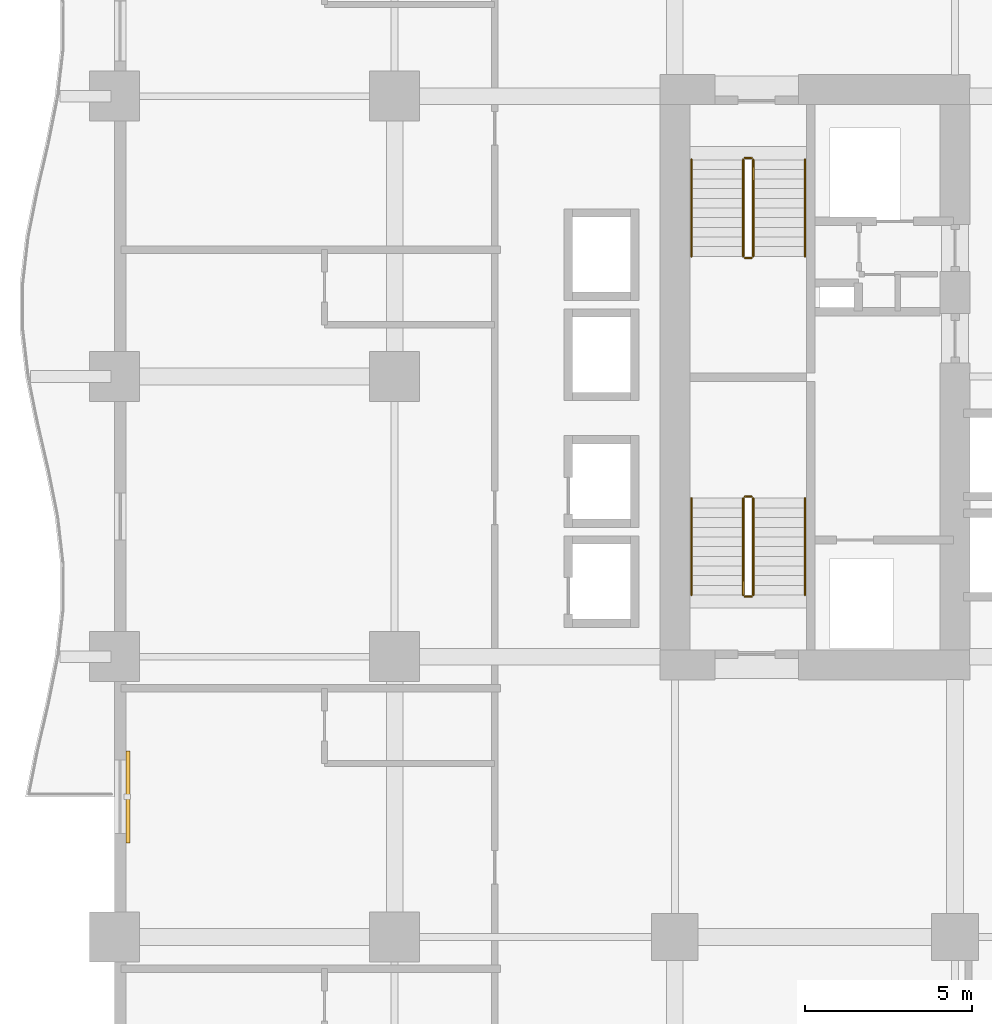
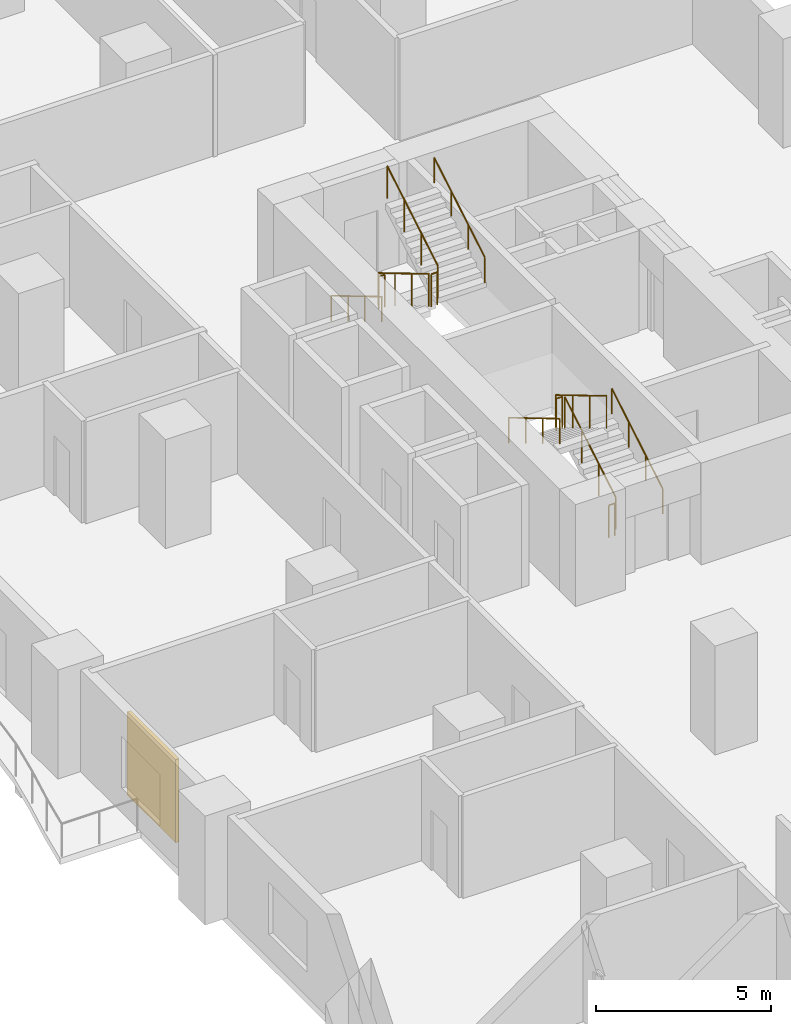
# One storey, part 21 of 22: 12 railings, 1 shading device.
"""IFC4 building model written with IfcOpenShell, lengths in metres."""

from ifc_helpers import new_model, si_unit, direction, frame, origin, origin_2d, place, context, subcontext, project, spatial, rectangle, circle, extrude, material, layer, layer_set, type_object, element, save


model = new_model("IFC4")

# Units and contexts
model_context = context("Model", 3, precision=1e-05, world=origin(), true_north=direction((0.0, 1.0)))
body_context = subcontext(model_context, "Body", "Model", "MODEL_VIEW")
ifc_project = project(units=[si_unit("LENGTHUNIT", "METRE"), si_unit("AREAUNIT", "SQUARE_METRE"), si_unit("VOLUMEUNIT", "CUBIC_METRE"), si_unit("PLANEANGLEUNIT", "RADIAN"), si_unit("MASSUNIT", "GRAM", prefix="KILO")], contexts=[model_context])

# Site, building, storey
site_placement = place(None, origin())
site = spatial("IfcSite", under=ifc_project, at=site_placement, CompositionType="ELEMENT")
building_placement = place(site_placement, origin())
building = spatial("IfcBuilding", under=site, at=building_placement, Name="Koriwani Terraces Tower", CompositionType="ELEMENT")
storey_placement = place(building_placement, frame((0.0, 0.0, 51.0)))
storey = spatial("IfcBuildingStorey", under=building, at=storey_placement, Name="L11", CompositionType="ELEMENT", Elevation=51.0)

# Railings
ifc_material_1 = material(Name="Steel ASTM A572 Grade 50", Category="steel")
railing_type_1 = type_object("IfcRailingType", Name="GUARD_STAIR_WELL_1120", PredefinedType="GUARDRAIL", material=ifc_material_1)
railing_1_placement = place(storey_placement, frame((19.14990234375, 43.85009765625, 0.172607421875)))
element("IfcRailing", 1, at=railing_1_placement, inside=storey, type_object=railing_type_1, Name="L11 ST-W1 stair guard 1", PredefinedType="GUARDRAIL", context=body_context, shape_type="SweptSolid", body=[
    extrude(circle(Radius=0.02392578125, at=origin_2d()), frame((0.0, 0.0, 1.1259765625), z_axis=(0.0, 0.859141464434, 0.511738159696), x_axis=(-1.0, 0.0, 0.0)), (0.0, 0.0, 1.0), 3.375244140625),
    extrude(circle(Radius=0.02099609375, at=origin_2d()), origin(), (0.0, 0.0, 1.0), 1.101806640625),
    extrude(circle(Radius=0.02099609375, at=origin_2d()), frame((0.0, 0.966552734375, 0.57568359375)), (0.0, 0.0, 1.0), 1.101806640625),
    extrude(circle(Radius=0.02099609375, at=origin_2d()), frame((0.0, 1.933349609375, 1.151611328125)), (0.0, 0.0, 1.0), 1.101806640625),
    extrude(circle(Radius=0.02099609375, at=origin_2d()), frame((0.0, 2.89990234375, 1.727294921875)), (0.0, 0.0, 1.0), 1.101806640625),
])
railing_2_placement = place(storey_placement, frame((19.10009765625, 46.800048828125, 1.89990234375)))
element("IfcRailing", 2, at=railing_2_placement, inside=storey, type_object=railing_type_1, Name="L11 ST-W1 stair guard 2", PredefinedType="GUARDRAIL", context=body_context, shape_type="SweptSolid", body=[
    extrude(circle(Radius=0.02392578125, at=origin_2d()), frame((0.0, 0.0, 1.1259765625), z_axis=(-1.0, 0.0, 0.0), x_axis=(0.0, -1.0, 0.0)), (0.0, 0.0, 1.0), 0.2001953125),
    extrude(circle(Radius=0.02099609375, at=origin_2d()), origin(), (0.0, 0.0, 1.0), 1.101806640625),
    extrude(circle(Radius=0.02099609375, at=origin_2d()), frame((-0.2001953125, 0.0, 0.0)), (0.0, 0.0, 1.0), 1.101806640625),
])
railing_3_placement = place(storey_placement, frame((18.85009765625, 46.75, 2.07275390625)))
element("IfcRailing", 3, at=railing_3_placement, inside=storey, type_object=railing_type_1, Name="L11 ST-W1 stair guard 3", PredefinedType="GUARDRAIL", context=body_context, shape_type="SweptSolid", body=[
    extrude(circle(Radius=0.02392578125, at=origin_2d()), frame((0.0, 0.0, 1.1259765625), z_axis=(0.0, -0.859141464434, 0.511738159696), x_axis=(1.0, 0.0, 0.0)), (0.0, 0.0, 1.0), 3.375244140625),
    extrude(circle(Radius=0.02099609375, at=origin_2d()), origin(), (0.0, 0.0, 1.0), 1.101806640625),
    extrude(circle(Radius=0.02099609375, at=origin_2d()), frame((0.0, -0.966552734375, 0.57568359375)), (0.0, 0.0, 1.0), 1.101806640625),
    extrude(circle(Radius=0.02099609375, at=origin_2d()), frame((0.0, -1.933349609375, 1.151611328125)), (0.0, 0.0, 1.0), 1.101806640625),
    extrude(circle(Radius=0.02099609375, at=origin_2d()), frame((0.0, -2.89990234375, 1.727294921875)), (0.0, 0.0, 1.0), 1.101806640625),
])
railing_4_placement = place(storey_placement, frame((19.10009765625, 43.800048828125, 0.0)))
element("IfcRailing", 4, at=railing_4_placement, inside=storey, type_object=railing_type_1, Name="L11 ST-W1 stair guard 4", PredefinedType="GUARDRAIL", context=body_context, shape_type="SweptSolid", body=[
    extrude(circle(Radius=0.02392578125, at=origin_2d()), frame((0.0, 0.0, 1.1259765625), z_axis=(-1.0, 0.0, 0.0), x_axis=(0.0, -1.0, 0.0)), (0.0, 0.0, 1.0), 0.2001953125),
    extrude(circle(Radius=0.02099609375, at=origin_2d()), origin(), (0.0, 0.0, 1.0), 1.101806640625),
    extrude(circle(Radius=0.02099609375, at=origin_2d()), frame((-0.2001953125, 0.0, 0.0)), (0.0, 0.0, 1.0), 1.101806640625),
])
railing_5_placement = place(storey_placement, frame((18.85009765625, 56.89990234375, 0.172607421875)))
element("IfcRailing", 5, at=railing_5_placement, inside=storey, type_object=railing_type_1, Name="L11 ST-W2 stair guard 1", PredefinedType="GUARDRAIL", context=body_context, shape_type="SweptSolid", body=[
    extrude(circle(Radius=0.02392578125, at=origin_2d()), frame((0.0, 0.0, 1.1259765625), z_axis=(0.0, -0.859141464434, 0.511738159696), x_axis=(1.0, 0.0, 0.0)), (0.0, 0.0, 1.0), 3.375244140625),
    extrude(circle(Radius=0.02099609375, at=origin_2d()), origin(), (0.0, 0.0, 1.0), 1.101806640625),
    extrude(circle(Radius=0.02099609375, at=origin_2d()), frame((0.0, -0.966552734375, 0.57568359375)), (0.0, 0.0, 1.0), 1.101806640625),
    extrude(circle(Radius=0.02099609375, at=origin_2d()), frame((0.0, -1.933349609375, 1.151611328125)), (0.0, 0.0, 1.0), 1.101806640625),
    extrude(circle(Radius=0.02099609375, at=origin_2d()), frame((0.0, -2.89990234375, 1.727294921875)), (0.0, 0.0, 1.0), 1.101806640625),
])
railing_6_placement = place(storey_placement, frame((18.89990234375, 53.949951171875, 1.89990234375)))
element("IfcRailing", 6, at=railing_6_placement, inside=storey, type_object=railing_type_1, Name="L11 ST-W2 stair guard 2", PredefinedType="GUARDRAIL", context=body_context, shape_type="SweptSolid", body=[
    extrude(circle(Radius=0.02392578125, at=origin_2d()), frame((0.0, 0.0, 1.1259765625), z_axis=(1.0, 0.0, 0.0), x_axis=(0.0, 1.0, 0.0)), (0.0, 0.0, 1.0), 0.2001953125),
    extrude(circle(Radius=0.02099609375, at=origin_2d()), origin(), (0.0, 0.0, 1.0), 1.101806640625),
    extrude(circle(Radius=0.02099609375, at=origin_2d()), frame((0.2001953125, 0.0, 0.0)), (0.0, 0.0, 1.0), 1.101806640625),
])
railing_7_placement = place(storey_placement, frame((19.14990234375, 54.0, 2.07275390625)))
element("IfcRailing", 7, at=railing_7_placement, inside=storey, type_object=railing_type_1, Name="L11 ST-W2 stair guard 3", PredefinedType="GUARDRAIL", context=body_context, shape_type="SweptSolid", body=[
    extrude(circle(Radius=0.02392578125, at=origin_2d()), frame((0.0, 0.0, 1.1259765625), z_axis=(0.0, 0.859141464434, 0.511738159696), x_axis=(-1.0, 0.0, 0.0)), (0.0, 0.0, 1.0), 3.375244140625),
    extrude(circle(Radius=0.02099609375, at=origin_2d()), origin(), (0.0, 0.0, 1.0), 1.101806640625),
    extrude(circle(Radius=0.02099609375, at=origin_2d()), frame((0.0, 0.966552734375, 0.57568359375)), (0.0, 0.0, 1.0), 1.101806640625),
    extrude(circle(Radius=0.02099609375, at=origin_2d()), frame((0.0, 1.933349609375, 1.151611328125)), (0.0, 0.0, 1.0), 1.101806640625),
    extrude(circle(Radius=0.02099609375, at=origin_2d()), frame((0.0, 2.89990234375, 1.727294921875)), (0.0, 0.0, 1.0), 1.101806640625),
])
railing_8_placement = place(storey_placement, frame((18.89990234375, 56.949951171875, 0.0)))
element("IfcRailing", 8, at=railing_8_placement, inside=storey, type_object=railing_type_1, Name="L11 ST-W2 stair guard 4", PredefinedType="GUARDRAIL", context=body_context, shape_type="SweptSolid", body=[
    extrude(circle(Radius=0.02392578125, at=origin_2d()), frame((0.0, 0.0, 1.1259765625), z_axis=(1.0, 0.0, 0.0), x_axis=(0.0, 1.0, 0.0)), (0.0, 0.0, 1.0), 0.2001953125),
    extrude(circle(Radius=0.02099609375, at=origin_2d()), origin(), (0.0, 0.0, 1.0), 1.101806640625),
    extrude(circle(Radius=0.02099609375, at=origin_2d()), frame((0.2001953125, 0.0, 0.0)), (0.0, 0.0, 1.0), 1.101806640625),
])
railing_type_2 = type_object("IfcRailingType", Name="HANDRAIL_STAIR_920", PredefinedType="HANDRAIL", material=ifc_material_1)
railing_9_placement = place(storey_placement, frame((20.699951171875, 43.85009765625, 0.172607421875)))
element("IfcRailing", 9, at=railing_9_placement, inside=storey, type_object=railing_type_2, Name="L11 ST-W1 stair handrail 1", PredefinedType="HANDRAIL", context=body_context, shape_type="SweptSolid", body=[
    extrude(circle(Radius=0.02392578125, at=origin_2d()), frame((0.0, 0.0, 0.8759765625), z_axis=(0.0, 0.859141464434, 0.511738159696), x_axis=(-1.0, 0.0, 0.0)), (0.0, 0.0, 1.0), 3.375244140625),
    extrude(circle(Radius=0.02099609375, at=origin_2d()), origin(), (0.0, 0.0, 1.0), 0.851806640625),
    extrude(circle(Radius=0.02099609375, at=origin_2d()), frame((0.0, 0.966552734375, 0.57568359375)), (0.0, 0.0, 1.0), 0.851806640625),
    extrude(circle(Radius=0.02099609375, at=origin_2d()), frame((0.0, 1.933349609375, 1.151611328125)), (0.0, 0.0, 1.0), 0.851806640625),
    extrude(circle(Radius=0.02099609375, at=origin_2d()), frame((0.0, 2.89990234375, 1.727294921875)), (0.0, 0.0, 1.0), 0.851806640625),
])
for number, where, name in (
    (10, (17.300048828125, 46.75, 2.07275390625), "L11 ST-W1 stair handrail 2"),
    (11, (17.300048828125, 56.89990234375, 0.172607421875), "L11 ST-W2 stair handrail 1"),
):
    element("IfcRailing", number, at=place(storey_placement, frame(where)), inside=storey, type_object=railing_type_2, Name=name, PredefinedType="HANDRAIL", context=body_context, shape_type="SweptSolid", body=[
        extrude(circle(Radius=0.02392578125, at=origin_2d()), frame((0.0, 0.0, 0.8759765625), z_axis=(0.0, -0.859141464434, 0.511738159696), x_axis=(1.0, 0.0, 0.0)), (0.0, 0.0, 1.0), 3.375244140625),
        extrude(circle(Radius=0.02099609375, at=origin_2d()), origin(), (0.0, 0.0, 1.0), 0.851806640625),
        extrude(circle(Radius=0.02099609375, at=origin_2d()), frame((0.0, -0.966552734375, 0.57568359375)), (0.0, 0.0, 1.0), 0.851806640625),
        extrude(circle(Radius=0.02099609375, at=origin_2d()), frame((0.0, -1.933349609375, 1.151611328125)), (0.0, 0.0, 1.0), 0.851806640625),
        extrude(circle(Radius=0.02099609375, at=origin_2d()), frame((0.0, -2.89990234375, 1.727294921875)), (0.0, 0.0, 1.0), 0.851806640625),
    ])
railing_10_placement = place(storey_placement, frame((20.699951171875, 54.0, 2.07275390625)))
element("IfcRailing", 12, at=railing_10_placement, inside=storey, type_object=railing_type_2, Name="L11 ST-W2 stair handrail 2", PredefinedType="HANDRAIL", context=body_context, shape_type="SweptSolid", body=[
    extrude(circle(Radius=0.02392578125, at=origin_2d()), frame((0.0, 0.0, 0.8759765625), z_axis=(0.0, 0.859141464434, 0.511738159696), x_axis=(-1.0, 0.0, 0.0)), (0.0, 0.0, 1.0), 3.375244140625),
    extrude(circle(Radius=0.02099609375, at=origin_2d()), origin(), (0.0, 0.0, 1.0), 0.851806640625),
    extrude(circle(Radius=0.02099609375, at=origin_2d()), frame((0.0, 0.966552734375, 0.57568359375)), (0.0, 0.0, 1.0), 0.851806640625),
    extrude(circle(Radius=0.02099609375, at=origin_2d()), frame((0.0, 1.933349609375, 1.151611328125)), (0.0, 0.0, 1.0), 0.851806640625),
    extrude(circle(Radius=0.02099609375, at=origin_2d()), frame((0.0, 2.89990234375, 1.727294921875)), (0.0, 0.0, 1.0), 0.851806640625),
])

# Shading device
ifc_material_2 = material(Name="Extruded Terracotta Clay", Category="masonry")
ifc_layer = layer(ifc_material_2, 0.1201171875, Name="Extruded Terracotta Clay")
ifc_layer_set = layer_set([ifc_layer], Name="Extruded Terracotta Clay")
shading_device_type = type_object("IfcShadingDeviceType", Name="TERRACOTTA_BAGUETTE_SCREEN_2800", PredefinedType="USERDEFINED", material=ifc_layer_set)
shading_device_placement = place(storey_placement, frame((0.405029296875, 37.800048828125, 0.324951171875), z_axis=(0.0, 0.0, 1.0), x_axis=(0.0, 1.0, 0.0)))
element("IfcShadingDevice", 13, at=shading_device_placement, inside=storey, type_object=shading_device_type, Name="L11 Extruded Terracotta Baguette Screen (W-12)", ObjectType="BAGUETTE", PredefinedType="USERDEFINED", context=body_context, shape_type="SweptSolid", body=[
    extrude(rectangle(XDim=2.760009765625, YDim=0.1201171875, at=origin_2d()), origin(), (0.0, 0.0, 1.0), 2.89990234375),
])

save(model, "model.ifc")
